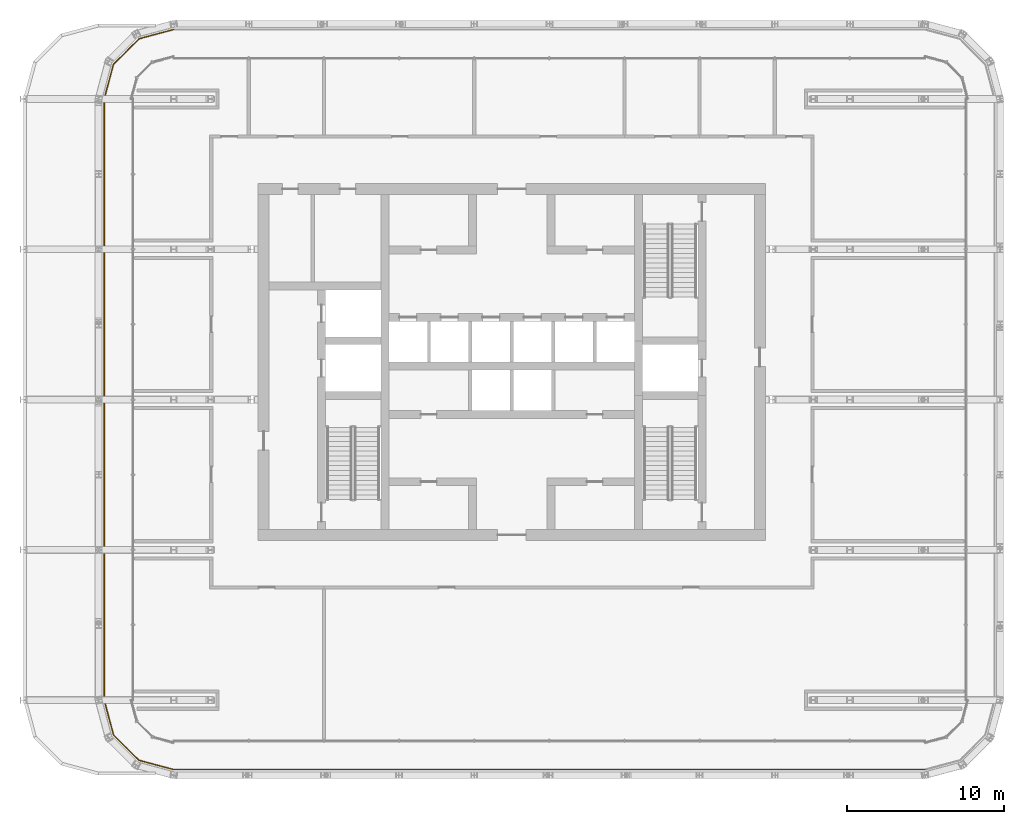
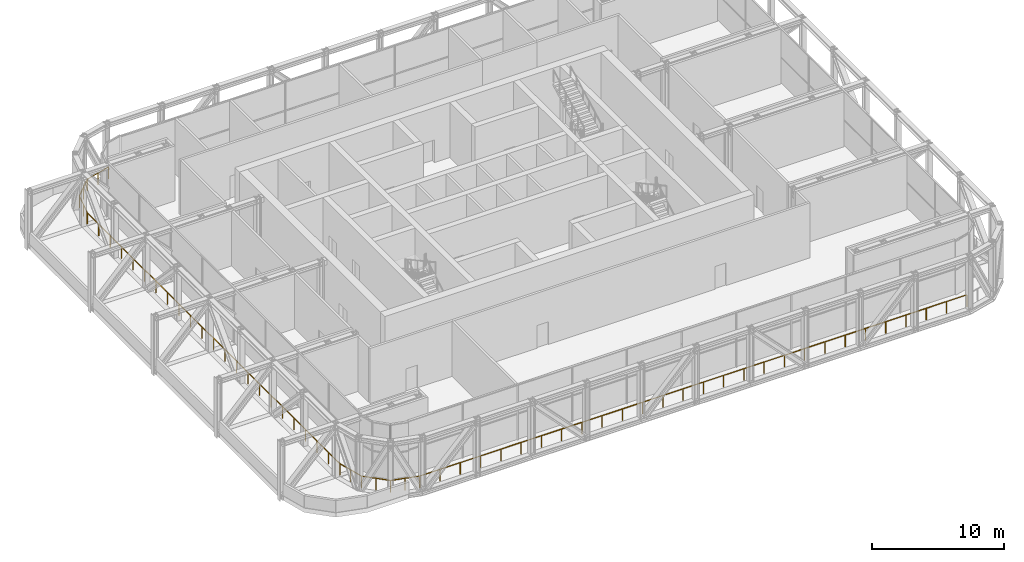
# One storey, part 25 of 30: 1 railing.
"""IFC4 building model written with IfcOpenShell, lengths in metres."""

from ifc_helpers import new_model, si_unit, direction, frame, origin, origin_2d, place, context, subcontext, project, spatial, circle, extrude, material, type_object, element, save


model = new_model("IFC4")

# Units and contexts
model_context = context("Model", 3, precision=1e-05, world=origin(), true_north=direction((0.0, 1.0)))
body_context = subcontext(model_context, "Body", "Model", "MODEL_VIEW")
ifc_project = project(units=[si_unit("LENGTHUNIT", "METRE"), si_unit("AREAUNIT", "SQUARE_METRE"), si_unit("VOLUMEUNIT", "CUBIC_METRE"), si_unit("PLANEANGLEUNIT", "RADIAN"), si_unit("MASSUNIT", "GRAM", prefix="KILO")], contexts=[model_context])

# Site, building, storey
site_placement = place(None, origin())
site = spatial("IfcSite", under=ifc_project, at=site_placement, CompositionType="ELEMENT")
building_placement = place(site_placement, origin())
building = spatial("IfcBuilding", under=site, at=building_placement, Name="Madar Terraces", CompositionType="ELEMENT")
storey_placement = place(building_placement, frame((0.0, 0.0, 173.5)))
storey = spatial("IfcBuildingStorey", under=building, at=storey_placement, Name="L45", CompositionType="ELEMENT", Elevation=173.5)

# Railing
ifc_material = material(Name="Glass, safety glazing, with stainless steel posts", Category="steel")
railing_type = type_object("IfcRailingType", Name="Balcony glass guard 1100", PredefinedType="GUARDRAIL", material=ifc_material)
railing_placement = place(storey_placement, frame((9.60009765625, 47.63916015625, 0.0)))
element("IfcRailing", 1, at=railing_placement, inside=storey, type_object=railing_type, Name="Gallery guard", PredefinedType="GUARDRAIL", context=body_context, shape_type="SweptSolid", body=[
    extrude(circle(Radius=0.02392578125, at=origin_2d()), frame((0.0, 0.0, 1.076171875), z_axis=(-0.96593098025, -0.258799809491, 0.0), x_axis=(0.258799809491, -0.96593098025, 0.0)), (0.0, 0.0, 1.0), 2.298095703125),
    extrude(circle(Radius=0.02392578125, at=origin_2d()), frame((-2.2197265625, -0.5947265625, 1.076171875), z_axis=(-0.707106781187, -0.707106781187, 0.0), x_axis=(0.707106781187, -0.707106781187, 0.0)), (0.0, 0.0, 1.0), 2.2978515625),
    extrude(circle(Radius=0.02392578125, at=origin_2d()), frame((-3.844482421875, -2.219482421875, 1.076171875), z_axis=(-0.258799809491, -0.96593098025, 0.0), x_axis=(0.96593098025, -0.258799809491, 0.0)), (0.0, 0.0, 1.0), 2.298095703125),
    extrude(circle(Radius=0.02392578125, at=origin_2d()), frame((-4.439208984375, -4.439208984375, 1.076171875), z_axis=(0.0, -1.0, 0.0), x_axis=(1.0, 0.0, 0.0)), (0.0, 0.0, 1.0), 38.39990234375),
    extrude(circle(Radius=0.02392578125, at=origin_2d()), frame((-4.439208984375, -42.839111328125, 1.076171875), z_axis=(0.258799809491, -0.96593098025, 0.0), x_axis=(0.96593098025, 0.258799809491, 0.0)), (0.0, 0.0, 1.0), 2.298095703125),
    extrude(circle(Radius=0.02392578125, at=origin_2d()), frame((-3.844482421875, -45.058837890625, 1.076171875), z_axis=(0.707106781187, -0.707106781187, 0.0), x_axis=(0.707106781187, 0.707106781187, 0.0)), (0.0, 0.0, 1.0), 2.2978515625),
    extrude(circle(Radius=0.02392578125, at=origin_2d()), frame((-2.2197265625, -46.68359375, 1.076171875), z_axis=(0.96593098025, -0.258799809491, 0.0), x_axis=(0.258799809491, 0.96593098025, 0.0)), (0.0, 0.0, 1.0), 2.298095703125),
    extrude(circle(Radius=0.02392578125, at=origin_2d()), frame((0.0, -47.2783203125, 1.076171875), z_axis=(1.0, 0.0, 0.0), x_axis=(0.0, 1.0, 0.0)), (0.0, 0.0, 1.0), 48.0),
    extrude(circle(Radius=0.02099609375, at=origin_2d()), origin(), (0.0, 0.0, 1.0), 1.052001953125),
    extrude(circle(Radius=0.02099609375, at=origin_2d()), frame((-1.10986328125, -0.29736328125, 0.0)), (0.0, 0.0, 1.0), 1.052001953125),
    extrude(circle(Radius=0.02099609375, at=origin_2d()), frame((-2.2197265625, -0.5947265625, 0.0)), (0.0, 0.0, 1.0), 1.052001953125),
    extrude(circle(Radius=0.02099609375, at=origin_2d()), frame((-3.0322265625, -1.4072265625, 0.0)), (0.0, 0.0, 1.0), 1.052001953125),
    extrude(circle(Radius=0.02099609375, at=origin_2d()), frame((-3.844482421875, -2.219482421875, 0.0)), (0.0, 0.0, 1.0), 1.052001953125),
    extrude(circle(Radius=0.02099609375, at=origin_2d()), frame((-4.141845703125, -3.329345703125, 0.0)), (0.0, 0.0, 1.0), 1.052001953125),
    extrude(circle(Radius=0.02099609375, at=origin_2d()), frame((-4.439208984375, -4.439208984375, 0.0)), (0.0, 0.0, 1.0), 1.052001953125),
    extrude(circle(Radius=0.02099609375, at=origin_2d()), frame((-4.439208984375, -6.1845703125, 0.0)), (0.0, 0.0, 1.0), 1.052001953125),
    extrude(circle(Radius=0.02099609375, at=origin_2d()), frame((-4.439208984375, -7.93017578125, 0.0)), (0.0, 0.0, 1.0), 1.052001953125),
    extrude(circle(Radius=0.02099609375, at=origin_2d()), frame((-4.439208984375, -9.675537109375, 0.0)), (0.0, 0.0, 1.0), 1.052001953125),
    extrude(circle(Radius=0.02099609375, at=origin_2d()), frame((-4.439208984375, -11.4208984375, 0.0)), (0.0, 0.0, 1.0), 1.052001953125),
    extrude(circle(Radius=0.02099609375, at=origin_2d()), frame((-4.439208984375, -13.16650390625, 0.0)), (0.0, 0.0, 1.0), 1.052001953125),
    extrude(circle(Radius=0.02099609375, at=origin_2d()), frame((-4.439208984375, -14.911865234375, 0.0)), (0.0, 0.0, 1.0), 1.052001953125),
    extrude(circle(Radius=0.02099609375, at=origin_2d()), frame((-4.439208984375, -16.657470703125, 0.0)), (0.0, 0.0, 1.0), 1.052001953125),
    extrude(circle(Radius=0.02099609375, at=origin_2d()), frame((-4.439208984375, -18.40283203125, 0.0)), (0.0, 0.0, 1.0), 1.052001953125),
    extrude(circle(Radius=0.02099609375, at=origin_2d()), frame((-4.439208984375, -20.148193359375, 0.0)), (0.0, 0.0, 1.0), 1.052001953125),
    extrude(circle(Radius=0.02099609375, at=origin_2d()), frame((-4.439208984375, -21.893798828125, 0.0)), (0.0, 0.0, 1.0), 1.052001953125),
    extrude(circle(Radius=0.02099609375, at=origin_2d()), frame((-4.439208984375, -23.63916015625, 0.0)), (0.0, 0.0, 1.0), 1.052001953125),
    extrude(circle(Radius=0.02099609375, at=origin_2d()), frame((-4.439208984375, -25.384521484375, 0.0)), (0.0, 0.0, 1.0), 1.052001953125),
    extrude(circle(Radius=0.02099609375, at=origin_2d()), frame((-4.439208984375, -27.130126953125, 0.0)), (0.0, 0.0, 1.0), 1.052001953125),
    extrude(circle(Radius=0.02099609375, at=origin_2d()), frame((-4.439208984375, -28.87548828125, 0.0)), (0.0, 0.0, 1.0), 1.052001953125),
    extrude(circle(Radius=0.02099609375, at=origin_2d()), frame((-4.439208984375, -30.620849609375, 0.0)), (0.0, 0.0, 1.0), 1.052001953125),
    extrude(circle(Radius=0.02099609375, at=origin_2d()), frame((-4.439208984375, -32.366455078125, 0.0)), (0.0, 0.0, 1.0), 1.052001953125),
    extrude(circle(Radius=0.02099609375, at=origin_2d()), frame((-4.439208984375, -34.11181640625, 0.0)), (0.0, 0.0, 1.0), 1.052001953125),
    extrude(circle(Radius=0.02099609375, at=origin_2d()), frame((-4.439208984375, -35.857421875, 0.0)), (0.0, 0.0, 1.0), 1.052001953125),
    extrude(circle(Radius=0.02099609375, at=origin_2d()), frame((-4.439208984375, -37.602783203125, 0.0)), (0.0, 0.0, 1.0), 1.052001953125),
    extrude(circle(Radius=0.02099609375, at=origin_2d()), frame((-4.439208984375, -39.34814453125, 0.0)), (0.0, 0.0, 1.0), 1.052001953125),
    extrude(circle(Radius=0.02099609375, at=origin_2d()), frame((-4.439208984375, -41.09375, 0.0)), (0.0, 0.0, 1.0), 1.052001953125),
    extrude(circle(Radius=0.02099609375, at=origin_2d()), frame((-4.439208984375, -42.839111328125, 0.0)), (0.0, 0.0, 1.0), 1.052001953125),
    extrude(circle(Radius=0.02099609375, at=origin_2d()), frame((-4.141845703125, -43.948974609375, 0.0)), (0.0, 0.0, 1.0), 1.052001953125),
    extrude(circle(Radius=0.02099609375, at=origin_2d()), frame((-3.844482421875, -45.058837890625, 0.0)), (0.0, 0.0, 1.0), 1.052001953125),
    extrude(circle(Radius=0.02099609375, at=origin_2d()), frame((-3.0322265625, -45.87109375, 0.0)), (0.0, 0.0, 1.0), 1.052001953125),
    extrude(circle(Radius=0.02099609375, at=origin_2d()), frame((-2.2197265625, -46.68359375, 0.0)), (0.0, 0.0, 1.0), 1.052001953125),
    extrude(circle(Radius=0.02099609375, at=origin_2d()), frame((-1.10986328125, -46.98095703125, 0.0)), (0.0, 0.0, 1.0), 1.052001953125),
    extrude(circle(Radius=0.02099609375, at=origin_2d()), frame((0.0, -47.2783203125, 0.0)), (0.0, 0.0, 1.0), 1.052001953125),
    extrude(circle(Radius=0.02099609375, at=origin_2d()), frame((1.77783203125, -47.2783203125, 0.0)), (0.0, 0.0, 1.0), 1.052001953125),
    extrude(circle(Radius=0.02099609375, at=origin_2d()), frame((3.5556640625, -47.2783203125, 0.0)), (0.0, 0.0, 1.0), 1.052001953125),
    extrude(circle(Radius=0.02099609375, at=origin_2d()), frame((5.333251953125, -47.2783203125, 0.0)), (0.0, 0.0, 1.0), 1.052001953125),
    extrude(circle(Radius=0.02099609375, at=origin_2d()), frame((7.111083984375, -47.2783203125, 0.0)), (0.0, 0.0, 1.0), 1.052001953125),
    extrude(circle(Radius=0.02099609375, at=origin_2d()), frame((8.888916015625, -47.2783203125, 0.0)), (0.0, 0.0, 1.0), 1.052001953125),
    extrude(circle(Radius=0.02099609375, at=origin_2d()), frame((10.666748046875, -47.2783203125, 0.0)), (0.0, 0.0, 1.0), 1.052001953125),
    extrude(circle(Radius=0.02099609375, at=origin_2d()), frame((12.4443359375, -47.2783203125, 0.0)), (0.0, 0.0, 1.0), 1.052001953125),
    extrude(circle(Radius=0.02099609375, at=origin_2d()), frame((14.22216796875, -47.2783203125, 0.0)), (0.0, 0.0, 1.0), 1.052001953125),
    extrude(circle(Radius=0.02099609375, at=origin_2d()), frame((16.0, -47.2783203125, 0.0)), (0.0, 0.0, 1.0), 1.052001953125),
    extrude(circle(Radius=0.02099609375, at=origin_2d()), frame((17.77783203125, -47.2783203125, 0.0)), (0.0, 0.0, 1.0), 1.052001953125),
    extrude(circle(Radius=0.02099609375, at=origin_2d()), frame((19.5556640625, -47.2783203125, 0.0)), (0.0, 0.0, 1.0), 1.052001953125),
    extrude(circle(Radius=0.02099609375, at=origin_2d()), frame((21.333251953125, -47.2783203125, 0.0)), (0.0, 0.0, 1.0), 1.052001953125),
    extrude(circle(Radius=0.02099609375, at=origin_2d()), frame((23.111083984375, -47.2783203125, 0.0)), (0.0, 0.0, 1.0), 1.052001953125),
    extrude(circle(Radius=0.02099609375, at=origin_2d()), frame((24.888916015625, -47.2783203125, 0.0)), (0.0, 0.0, 1.0), 1.052001953125),
    extrude(circle(Radius=0.02099609375, at=origin_2d()), frame((26.666748046875, -47.2783203125, 0.0)), (0.0, 0.0, 1.0), 1.052001953125),
    extrude(circle(Radius=0.02099609375, at=origin_2d()), frame((28.4443359375, -47.2783203125, 0.0)), (0.0, 0.0, 1.0), 1.052001953125),
    extrude(circle(Radius=0.02099609375, at=origin_2d()), frame((30.22216796875, -47.2783203125, 0.0)), (0.0, 0.0, 1.0), 1.052001953125),
    extrude(circle(Radius=0.02099609375, at=origin_2d()), frame((32.0, -47.2783203125, 0.0)), (0.0, 0.0, 1.0), 1.052001953125),
    extrude(circle(Radius=0.02099609375, at=origin_2d()), frame((33.77783203125, -47.2783203125, 0.0)), (0.0, 0.0, 1.0), 1.052001953125),
    extrude(circle(Radius=0.02099609375, at=origin_2d()), frame((35.5556640625, -47.2783203125, 0.0)), (0.0, 0.0, 1.0), 1.052001953125),
    extrude(circle(Radius=0.02099609375, at=origin_2d()), frame((37.333251953125, -47.2783203125, 0.0)), (0.0, 0.0, 1.0), 1.052001953125),
    extrude(circle(Radius=0.02099609375, at=origin_2d()), frame((39.111083984375, -47.2783203125, 0.0)), (0.0, 0.0, 1.0), 1.052001953125),
    extrude(circle(Radius=0.02099609375, at=origin_2d()), frame((40.888916015625, -47.2783203125, 0.0)), (0.0, 0.0, 1.0), 1.052001953125),
    extrude(circle(Radius=0.02099609375, at=origin_2d()), frame((42.666748046875, -47.2783203125, 0.0)), (0.0, 0.0, 1.0), 1.052001953125),
    extrude(circle(Radius=0.02099609375, at=origin_2d()), frame((44.4443359375, -47.2783203125, 0.0)), (0.0, 0.0, 1.0), 1.052001953125),
    extrude(circle(Radius=0.02099609375, at=origin_2d()), frame((46.22216796875, -47.2783203125, 0.0)), (0.0, 0.0, 1.0), 1.052001953125),
    extrude(circle(Radius=0.02099609375, at=origin_2d()), frame((48.0, -47.2783203125, 0.0)), (0.0, 0.0, 1.0), 1.052001953125),
])

save(model, "model.ifc")
